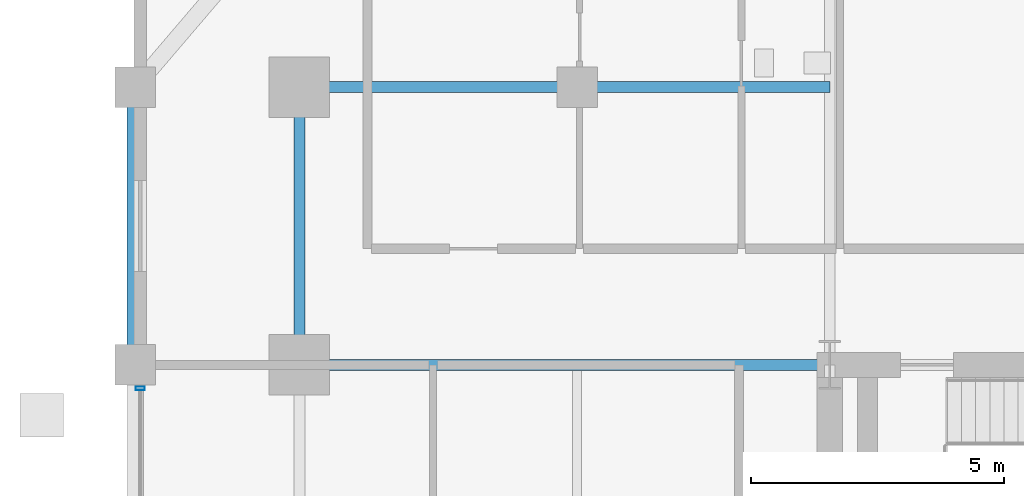
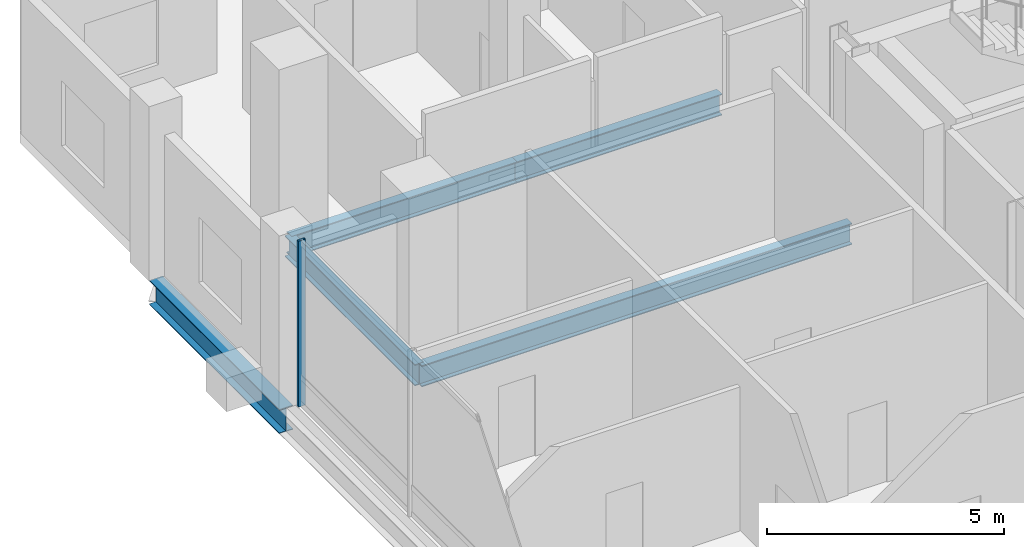
# One storey, part 8 of 19: 5 beams, 1 member, 1 element without a shape of its own.
"""IFC4 building model written with IfcOpenShell, lengths in metres."""

from ifc_helpers import new_model, si_unit, direction, frame, origin, origin_2d, place, context, subcontext, project, spatial, hollow_rectangle, i_section, extrude, material, layer, layer_set, material_profile, profile_set, type_object, element, aggregate, save


model = new_model("IFC4")

# Units and contexts
model_context = context("Model", 3, precision=1e-05, world=origin(), true_north=direction((0.0, 1.0)))
body_context = subcontext(model_context, "Body", "Model", "MODEL_VIEW")
ifc_project = project(units=[si_unit("LENGTHUNIT", "METRE"), si_unit("AREAUNIT", "SQUARE_METRE"), si_unit("VOLUMEUNIT", "CUBIC_METRE"), si_unit("PLANEANGLEUNIT", "RADIAN"), si_unit("MASSUNIT", "GRAM", prefix="KILO")], contexts=[model_context])

# Site, building, storey
site_placement = place(None, origin())
site = spatial("IfcSite", under=ifc_project, at=site_placement, CompositionType="ELEMENT")
building_placement = place(site_placement, origin())
building = spatial("IfcBuilding", under=site, at=building_placement, Name="Barlavira Tower and Art Museum", CompositionType="ELEMENT")
storey_placement = place(building_placement, frame((0.0, 0.0, 125.10009765625)))
storey = spatial("IfcBuildingStorey", under=building, at=storey_placement, Name="L31", CompositionType="ELEMENT", Elevation=125.10009765625)

# Curtain wall, member
ifc_material_1 = material(Name="Low-iron coastal laminated glass", Category="glass")
ifc_layer = layer(ifc_material_1, 0.18994140625, Name="Low-iron coastal laminated glass")
ifc_layer_set = layer_set([ifc_layer], Name="Low-iron coastal laminated glass")
curtain_wall_type = type_object("IfcCurtainWallType", Name="Pale-Metal Unitised Curtain Wall Zone 2", PredefinedType="NOTDEFINED", material=ifc_layer_set)
curtain_wall_placement = place(storey_placement, origin())
curtain_wall = element("IfcCurtainWall", 1, at=curtain_wall_placement, inside=storey, type_object=curtain_wall_type, Name="L31 Curtain Wall CW2-L31-W-B3", PredefinedType="NOTDEFINED")
ifc_material_2 = material(Name="Pale anodised aluminium", Category="aluminium")
ifc_material_profile_1 = material_profile(ifc_material_2, hollow_rectangle(XDim=0.06494140625, YDim=0.179931640625, WallThickness=0.00390625, at=origin_2d()), Name="ALU-MULL 65x180x4")
ifc_profile_set_1 = profile_set([ifc_material_profile_1], Name="Pale anodised aluminium")
member_type = type_object("IfcMemberType", Name="Curtain Wall Pale-Metal Mullion 65x180", PredefinedType="MULLION", material=ifc_profile_set_1)
member_placement = place(storey_placement, frame((-20.14990234375, 7.034912109375, 0.0), z_axis=(0.0, 0.0, 1.0), x_axis=(0.0, -1.0, 0.0)))
member = element("IfcMember", 2, at=member_placement, type_object=member_type, Name="CW2-L31-W-B3 Mullion 0", PredefinedType="MULLION", context=body_context, shape_type="SweptSolid", body=[
    extrude(hollow_rectangle(XDim=0.06494140625, YDim=0.179931640625, WallThickness=0.00390625, at=origin_2d()), origin(), (0.0, 0.0, 1.0), 4.27978515625),
])
aggregate(curtain_wall, [member])

# Beams
ifc_material_3 = material(Name="Steel S355", Category="steel")
ifc_material_profile_2 = material_profile(ifc_material_3, i_section(OverallWidth=0.327880859375, OverallDepth=0.62890625, WebThickness=0.013916015625, FlangeThickness=0.021484375, at=origin_2d()), Name="W610x174.0")
ifc_profile_set_2 = profile_set([ifc_material_profile_2], Name="Steel S355")
beam_type_1 = type_object("IfcBeamType", Name="Perimeter Spandrel Edge Beam W610x174 Steel S355", PredefinedType="SPANDREL", material=ifc_profile_set_2)
beam_1_placement = place(storey_placement, frame((-20.25, 7.5, -0.614501953125), z_axis=(0.0, 1.0, 0.0), x_axis=(-1.0, 0.0, 0.0)))
element("IfcBeam", 3, at=beam_1_placement, inside=storey, type_object=beam_type_1, Name="L31 Spandrel 13", PredefinedType="SPANDREL", context=body_context, shape_type="SweptSolid", body=[
    extrude(i_section(OverallWidth=0.327880859375, OverallDepth=0.62890625, WebThickness=0.013916015625, FlangeThickness=0.021484375, at=origin_2d()), origin(), (0.0, 0.0, 1.0), 5.5),
])
ifc_material_profile_3 = material_profile(ifc_material_3, i_section(OverallWidth=0.214111328125, OverallDepth=0.549072265625, WebThickness=0.0146484375, FlangeThickness=0.023681640625, at=origin_2d()), Name="W530x138.0")
ifc_profile_set_3 = profile_set([ifc_material_profile_3], Name="Steel S355")
beam_type_2 = type_object("IfcBeamType", Name="Zone 1 Primary Floor Girder W530x138 Steel S355", PredefinedType="BEAM", material=ifc_profile_set_3)
beam_2_placement = place(storey_placement, frame((-17.0, 7.5, -0.57470703125), z_axis=(0.0, 1.0, 0.0), x_axis=(-1.0, 0.0, 0.0)))
element("IfcBeam", 4, at=beam_2_placement, inside=storey, type_object=beam_type_2, Name="L31 Girder M-W3", PredefinedType="BEAM", context=body_context, shape_type="SweptSolid", body=[
    extrude(i_section(OverallWidth=0.214111328125, OverallDepth=0.549072265625, WebThickness=0.0146484375, FlangeThickness=0.023681640625, at=origin_2d()), origin(), (0.0, 0.0, 1.0), 5.5),
])
beam_3_placement = place(storey_placement, frame((-17.0, 7.5, -0.57470703125), z_axis=(1.0, 0.0, 0.0), x_axis=(0.0, 1.0, 0.0)))
element("IfcBeam", 5, at=beam_3_placement, inside=storey, type_object=beam_type_2, Name="L31 Girder R-W2", PredefinedType="BEAM", context=body_context, shape_type="SweptSolid", body=[
    extrude(i_section(OverallWidth=0.214111328125, OverallDepth=0.549072265625, WebThickness=0.0146484375, FlangeThickness=0.023681640625, at=origin_2d()), origin(), (0.0, 0.0, 1.0), 10.5),
])
beam_4_placement = place(storey_placement, frame((-17.0, 13.0, -0.57470703125), z_axis=(1.0, 0.0, 0.0), x_axis=(0.0, 1.0, 0.0)))
element("IfcBeam", 6, at=beam_4_placement, inside=storey, type_object=beam_type_2, Name="L31 Girder I-N1", PredefinedType="BEAM", context=body_context, shape_type="SweptSolid", body=[
    extrude(i_section(OverallWidth=0.214111328125, OverallDepth=0.549072265625, WebThickness=0.0146484375, FlangeThickness=0.023681640625, at=origin_2d()), origin(), (0.0, 0.0, 1.0), 5.5),
])
beam_5_placement = place(storey_placement, frame((-11.5, 13.0, -0.57470703125), z_axis=(1.0, 0.0, 0.0), x_axis=(0.0, 1.0, 0.0)))
element("IfcBeam", 7, at=beam_5_placement, inside=storey, type_object=beam_type_2, Name="L31 Girder I-N2", PredefinedType="BEAM", context=body_context, shape_type="SweptSolid", body=[
    extrude(i_section(OverallWidth=0.214111328125, OverallDepth=0.549072265625, WebThickness=0.0146484375, FlangeThickness=0.023681640625, at=origin_2d()), origin(), (0.0, 0.0, 1.0), 5.0),
])

save(model, "model.ifc")
